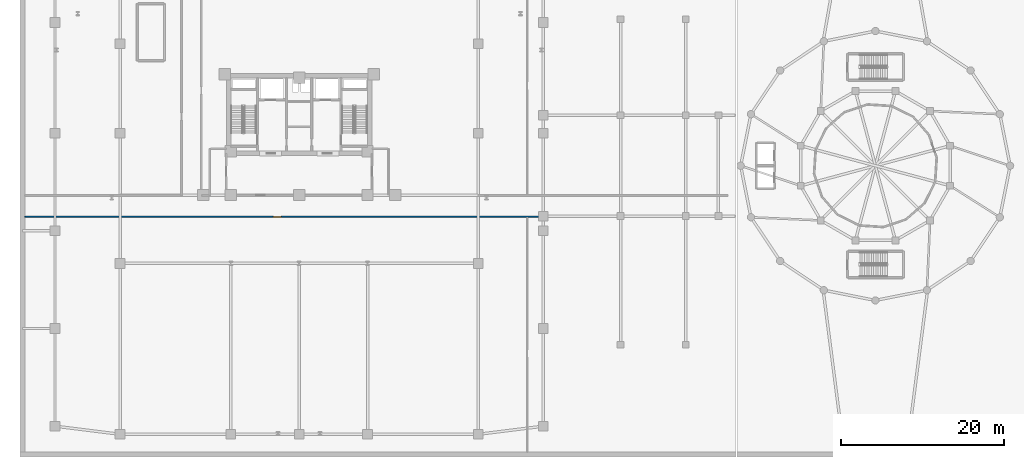
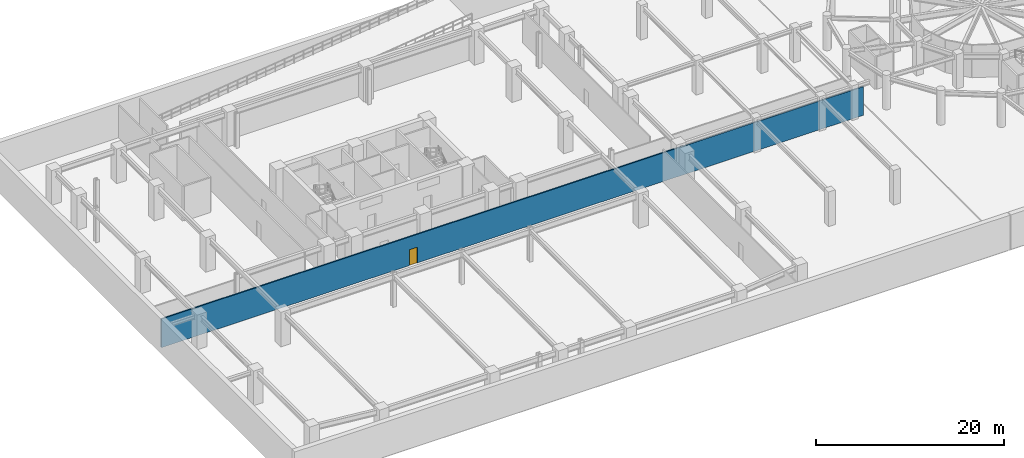
# One storey, part 8 of 15: 1 door, 1 wall, 1 opening.
"""IFC4 building model written with IfcOpenShell, lengths in metres."""

from ifc_helpers import new_model, si_unit, derived_unit, direction, frame, frame_2d, origin, place, context, subcontext, project, spatial, rectangle, extrude, material, layer, layer_set, type_object, element, fill, save


model = new_model("IFC4")

# Units and contexts
model_context = context("Model", 3, precision=1e-05, world=origin(), true_north=direction((0.0, 1.0)))
body_context = subcontext(model_context, "Body", "Model", "MODEL_VIEW")
ifc_project = project(units=[si_unit("LENGTHUNIT", "METRE"), si_unit("AREAUNIT", "SQUARE_METRE"), si_unit("VOLUMEUNIT", "CUBIC_METRE"), si_unit("PLANEANGLEUNIT", "RADIAN"), si_unit("MASSUNIT", "GRAM", prefix="KILO"), derived_unit("THERMALTRANSMITTANCEUNIT", [(si_unit("POWERUNIT", "WATT"), 1), (si_unit("LENGTHUNIT", "METRE"), -2), (si_unit("THERMODYNAMICTEMPERATUREUNIT", "KELVIN"), -1)])], contexts=[model_context])

# Site, building, storey
site_placement = place(None, origin())
site = spatial("IfcSite", under=ifc_project, at=site_placement, CompositionType="ELEMENT")
building_placement = place(site_placement, origin())
building = spatial("IfcBuilding", under=site, at=building_placement, Name="Korsvarv Bourse and Concert Hall", CompositionType="ELEMENT")
storey_placement = place(building_placement, frame((0.0, 0.0, -4.5)))
storey = spatial("IfcBuildingStorey", under=building, at=storey_placement, Name="B01", CompositionType="ELEMENT", Elevation=-4.5)

# Wall, opening, door
ifc_material_1 = material(Name="Double-stud fire-rated acoustic partition", Category="gypsum")
ifc_layer = layer(ifc_material_1, 0.159912109375)
ifc_layer_set = layer_set([ifc_layer], Name="Double-stud fire-rated acoustic partition")
wall_type = type_object("IfcWallType", Name="WL-INT-EI60", PredefinedType="PARTITIONING", material=ifc_layer_set)
wall_placement = place(storey_placement, frame((2.302001953125, 29.72509765625, 0.0), z_axis=(0.0, 0.0, 1.0), x_axis=(1.0, 0.0, 0.0)))
wall = element("IfcWall", 1, at=wall_placement, inside=storey, type_object=wall_type, Name="B01 interior partition wall W-B01-BCOR-01", PredefinedType="PARTITIONING", context=body_context, shape_type="SweptSolid", body=[
    extrude(rectangle(XDim=86.35791015625, YDim=0.159912109375, at=frame_2d((43.178955078125, 0.0))), origin(), (0.0, 0.0, 1.0), 3.72998046875),
])
opening_placement = place(wall_placement, frame((30.5380859375, 0.0, 0.0)))
opening = element("IfcOpeningElement", 2, at=opening_placement, cuts=wall, Name="Opening D-02", PredefinedType="OPENING", context=body_context, shape_type="SweptSolid", body=[
    extrude(rectangle(XDim=0.949951171875, YDim=2.050048828125, at=frame_2d((0.47509765625, 1.02490234375))), frame((0.0, 0.08984375, 0.0), z_axis=(0.0, -1.0, 0.0), x_axis=(1.0, 0.0, 0.0)), (0.0, 0.0, 1.0), 0.179931640625),
])
ifc_material_2 = material(Name="Timber and steel acoustic fire door", Category="wood")
door_type = type_object("IfcDoorType", Name="DR-FD30", OperationType="NOTDEFINED", PredefinedType="DOOR", material=ifc_material_2)
door_placement = place(opening_placement, origin())
door = element("IfcDoor", 3, at=door_placement, inside=storey, type_object=door_type, Name="B01 interior door DR-B01-BCOR-CAR11", OperationType="SINGLE_SWING_RIGHT", OverallHeight=2.050048828125, OverallWidth=0.949951171875, PredefinedType="DOOR", context=body_context, shape_type="SweptSolid", body=[
    extrude(rectangle(XDim=0.949951171875, YDim=2.050048828125, at=frame_2d((0.47509765625, 1.02490234375))), frame((0.0, 0.02490234375, 0.0), z_axis=(0.0, -1.0, 0.0), x_axis=(1.0, 0.0, 0.0)), (0.0, 0.0, 1.0), 0.050048828125),
])
fill(opening, door)

save(model, "model.ifc")
